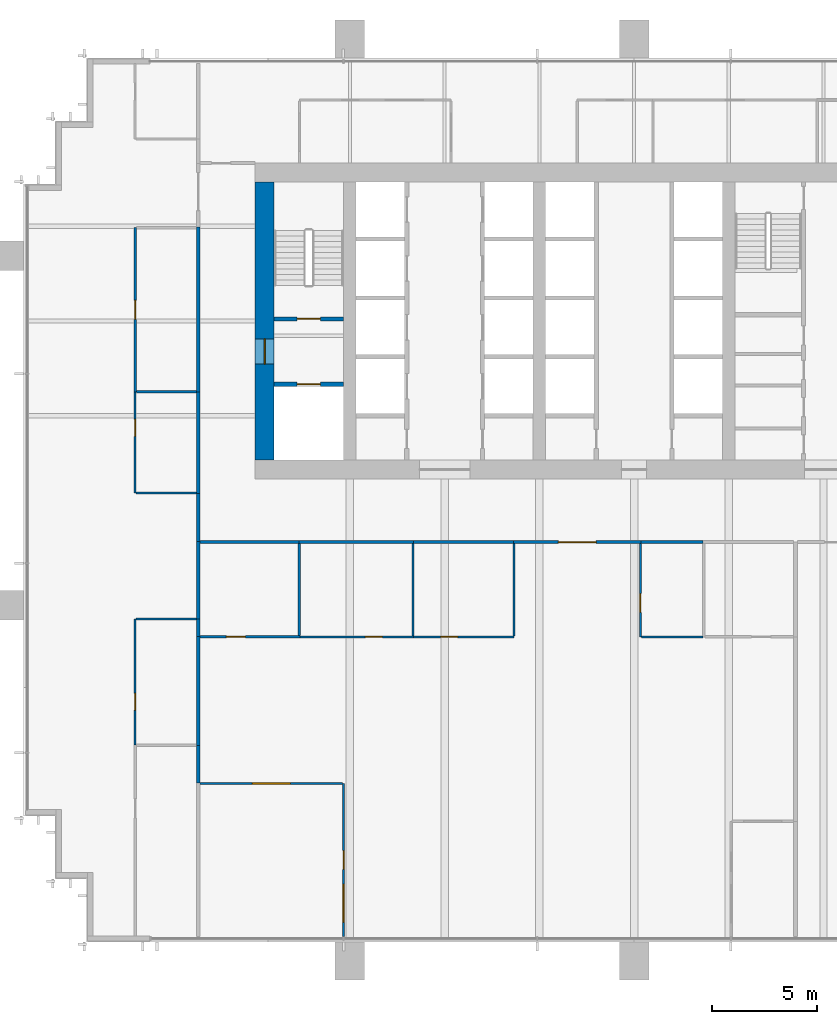
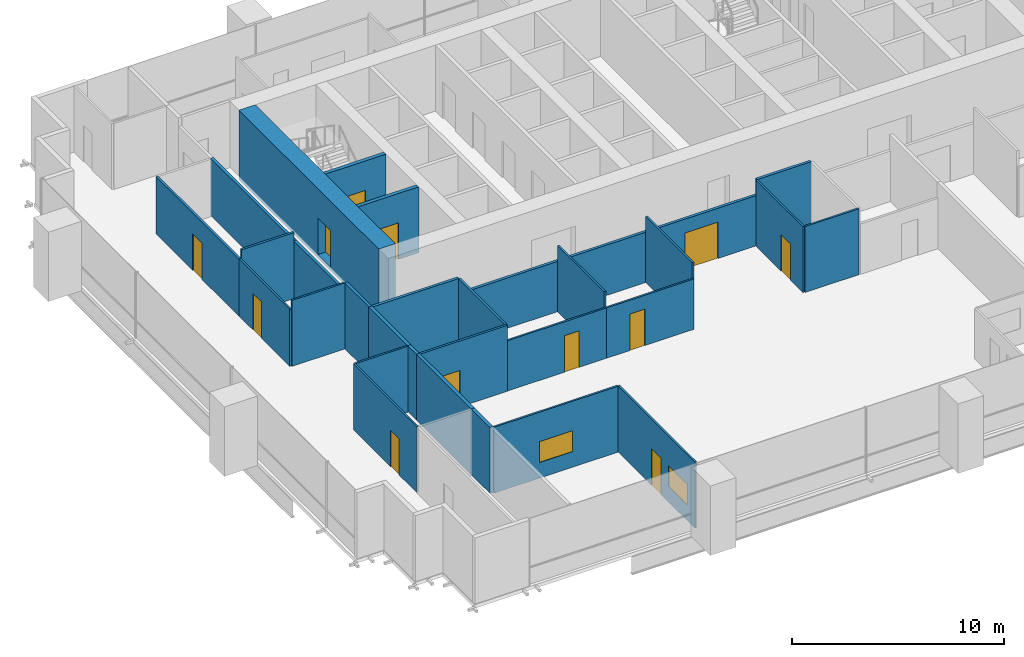
# One storey, part 10 of 16: 31 walls, 12 doors, 2 windows, 14 openings.
"""IFC4 building model written with IfcOpenShell, lengths in metres."""

from ifc_helpers import new_model, si_unit, direction, frame, frame_2d, origin, place, context, subcontext, project, spatial, rectangle, extrude, material, layer, layer_set, type_object, element, fill, save


model = new_model("IFC4")

# Units and contexts
model_context = context("Model", 3, precision=1e-05, world=origin(), true_north=direction((0.0, 1.0)))
body_context = subcontext(model_context, "Body", "Model", "MODEL_VIEW")
ifc_project = project(units=[si_unit("LENGTHUNIT", "METRE"), si_unit("AREAUNIT", "SQUARE_METRE"), si_unit("VOLUMEUNIT", "CUBIC_METRE"), si_unit("PLANEANGLEUNIT", "RADIAN"), si_unit("MASSUNIT", "GRAM", prefix="KILO")], contexts=[model_context])

# Site, building, storey
site_placement = place(None, origin())
site = spatial("IfcSite", under=ifc_project, at=site_placement, CompositionType="ELEMENT")
building_placement = place(site_placement, origin())
building = spatial("IfcBuilding", under=site, at=building_placement, Name="Rattan Terrace Tower", CompositionType="ELEMENT")
storey_placement = place(building_placement, frame((0.0, 0.0, 130.10009765625)))
storey = spatial("IfcBuildingStorey", under=building, at=storey_placement, Name="L29", CompositionType="ELEMENT", Elevation=130.10009765625)

# Wall, opening, door
ifc_material_1 = material(Name="Gypsum board partition")
ifc_layer_1 = layer(ifc_material_1, 0.199951171875)
ifc_layer_set_1 = layer_set([ifc_layer_1], Name="Core partition 200")
wall_type_1 = type_object("IfcWallType", Name="Core partition 200", PredefinedType="PARTITIONING", material=ifc_layer_set_1)
wall_1_placement = place(storey_placement, frame((-17.10009765625, -3.0, 0.0), z_axis=(0.0, 0.0, 1.0), x_axis=(1.0, 0.0, 0.0)))
wall_1 = element("IfcWall", 1, at=wall_1_placement, inside=storey, type_object=wall_type_1, Name="Fire-fighting lobby wall", PredefinedType="PARTITIONING", context=body_context, shape_type="SweptSolid", body=[
    extrude(rectangle(XDim=3.300048828125, YDim=0.199951171875, at=frame_2d((1.64990234375, 0.0))), origin(), (0.0, 0.0, 1.0), 3.7998046875),
])
opening_1_placement = place(wall_1_placement, frame((1.10009765625, 0.0, 0.0)))
opening_1 = element("IfcOpeningElement", 2, at=opening_1_placement, cuts=wall_1, Name="Opening L29-LD-FF1", PredefinedType="OPENING", context=body_context, shape_type="SweptSolid", body=[
    extrude(rectangle(XDim=1.10009765625, YDim=2.10009765625, at=frame_2d((0.550048828125, 1.050048828125))), frame((0.0, 0.110595703125, 0.0), z_axis=(0.0, -1.0, 0.0), x_axis=(1.0, 0.0, 0.0)), (0.0, 0.0, 1.0), 0.220947265625),
])
ifc_material_2 = material(Name="Brushed stainless landing door panel")
door_type_1 = type_object("IfcDoorType", Name="Core lift landing door 1100", OperationType="DOUBLE_DOOR_SLIDING", PredefinedType="DOOR", material=ifc_material_2)
door_1_placement = place(opening_1_placement, origin())
door_1 = element("IfcDoor", 3, at=door_1_placement, inside=storey, type_object=door_type_1, Name="Door L29-LD-FF1", OperationType="DOUBLE_DOOR_SLIDING", OverallHeight=2.10009765625, OverallWidth=1.10009765625, PredefinedType="DOOR", context=body_context, shape_type="SweptSolid", body=[
    extrude(rectangle(XDim=1.10009765625, YDim=2.10009765625, at=frame_2d((0.550048828125, 1.050048828125))), frame((0.0, 0.02490234375, 0.0), z_axis=(0.0, -1.0, 0.0), x_axis=(1.0, 0.0, 0.0)), (0.0, 0.0, 1.0), 0.050048828125),
])
fill(opening_1, door_1)

wall_2_placement = place(storey_placement, frame((-17.10009765625, 0.10009765625, 0.0), z_axis=(0.0, 0.0, 1.0), x_axis=(1.0, 0.0, 0.0)))
wall_2 = element("IfcWall", 4, at=wall_2_placement, inside=storey, type_object=wall_type_1, Name="Stair enclosure wall", PredefinedType="PARTITIONING", context=body_context, shape_type="SweptSolid", body=[
    extrude(rectangle(XDim=3.300048828125, YDim=0.199951171875, at=frame_2d((1.64990234375, 0.0))), origin(), (0.0, 0.0, 1.0), 3.7998046875),
])
opening_2_placement = place(wall_2_placement, frame((1.10009765625, 0.0, 0.0)))
opening_2 = element("IfcOpeningElement", 5, at=opening_2_placement, cuts=wall_2, Name="Opening L29-D002", PredefinedType="OPENING", context=body_context, shape_type="SweptSolid", body=[
    extrude(rectangle(XDim=1.10009765625, YDim=2.10009765625, at=frame_2d((0.550048828125, 1.050048828125))), frame((0.0, 0.110595703125, 0.0), z_axis=(0.0, -1.0, 0.0), x_axis=(1.0, 0.0, 0.0)), (0.0, 0.0, 1.0), 0.220947265625),
])
ifc_material_3 = material(Name="Hollow-metal fire door leaf")
door_type_2 = type_object("IfcDoorType", Name="Core stair door 1100", OperationType="NOTDEFINED", PredefinedType="DOOR", material=ifc_material_3)
door_2_placement = place(opening_2_placement, origin())
door_2 = element("IfcDoor", 6, at=door_2_placement, inside=storey, type_object=door_type_2, Name="Door L29-D002", OperationType="SINGLE_SWING_LEFT", OverallHeight=2.10009765625, OverallWidth=1.10009765625, PredefinedType="DOOR", context=body_context, shape_type="SweptSolid", body=[
    extrude(rectangle(XDim=1.10009765625, YDim=2.10009765625, at=frame_2d((0.550048828125, 1.050048828125))), frame((0.0, 0.02490234375, 0.0), z_axis=(0.0, -1.0, 0.0), x_axis=(1.0, 0.0, 0.0)), (0.0, 0.0, 1.0), 0.050048828125),
])
fill(opening_2, door_2)

ifc_material_4 = material(Name="Concrete C60/75", Category="concrete")
ifc_layer_2 = layer(ifc_material_4, 0.89990234375)
ifc_layer_set_2 = layer_set([ifc_layer_2], Name="Core ring wall 900 C60/75")
wall_type_2 = type_object("IfcWallType", Name="Core ring wall 900 C60/75", PredefinedType="SHEAR", material=ifc_layer_set_2)
wall_3_placement = place(storey_placement, frame((-17.550048828125, -6.60009765625, -0.2001953125), z_axis=(0.0, 0.0, 1.0), x_axis=(0.0, 1.0, 0.0)))
wall_3 = element("IfcWall", 7, at=wall_3_placement, inside=storey, type_object=wall_type_2, Name="Rear core wall west", PredefinedType="SHEAR", context=body_context, shape_type="SweptSolid", body=[
    extrude(rectangle(XDim=13.2001953125, YDim=0.89990234375, at=frame_2d((6.60009765625, 0.0))), origin(), (0.0, 0.0, 1.0), 4.0),
])
opening_3_placement = place(wall_3_placement, frame((4.550048828125, 0.0, 0.199951171875)))
opening_3 = element("IfcOpeningElement", 8, at=opening_3_placement, cuts=wall_3, Name="Opening L29-D001", PredefinedType="OPENING", context=body_context, shape_type="SweptSolid", body=[
    extrude(rectangle(XDim=1.199951171875, YDim=2.10009765625, at=frame_2d((0.60009765625, 1.050048828125))), frame((0.0, 0.46044921875, 0.0), z_axis=(0.0, -1.0, 0.0), x_axis=(1.0, 0.0, 0.0)), (0.0, 0.0, 1.0), 0.9208984375),
])
ifc_material_5 = material(Name="Hollow-metal fire door leaf")
door_type_3 = type_object("IfcDoorType", Name="Core fire-fighting lobby door 1200", OperationType="NOTDEFINED", PredefinedType="DOOR", material=ifc_material_5)
door_3_placement = place(opening_3_placement, origin())
door_3 = element("IfcDoor", 9, at=door_3_placement, inside=storey, type_object=door_type_3, Name="Door L29-D001", OperationType="SINGLE_SWING_RIGHT", OverallHeight=2.10009765625, OverallWidth=1.199951171875, PredefinedType="DOOR", context=body_context, shape_type="SweptSolid", body=[
    extrude(rectangle(XDim=1.199951171875, YDim=2.10009765625, at=frame_2d((0.60009765625, 1.050048828125))), frame((0.0, 0.02490234375, 0.0), z_axis=(0.0, -1.0, 0.0), x_axis=(1.0, 0.0, 0.0)), (0.0, 0.0, 1.0), 0.050048828125),
])
fill(opening_3, door_3)

# Walls
ifc_material_6 = material(Name="Double steel stud acoustic partition, gypsum board, mineral wool, fire rated", Category="steel")
ifc_layer_3 = layer(ifc_material_6, 0.179931640625)
ifc_layer_set_3 = layer_set([ifc_layer_3], Name="Floors Acoustic Party Wall 180")
wall_type_3 = type_object("IfcWallType", Name="Floors Acoustic Party Wall 180", PredefinedType="PARTITIONING", material=ifc_layer_set_3)
wall_4_placement = place(storey_placement, frame((-20.699951171875, -10.47998046875, 0.0), z_axis=(0.0, 0.0, 1.0), x_axis=(0.0, -1.0, 0.0)))
element("IfcWall", 10, at=wall_4_placement, inside=storey, type_object=wall_type_3, Name="pt-L29-029", PredefinedType="PARTITIONING", context=body_context, shape_type="SweptSolid", body=[
    extrude(rectangle(XDim=3.679931640625, YDim=0.179931640625, at=frame_2d((1.83984375, 0.0))), origin(), (0.0, 0.0, 1.0), 3.7998046875),
])
wall_5_placement = place(storey_placement, frame((-20.699951171875, -20.159912109375, 0.0), z_axis=(0.0, 0.0, 1.0), x_axis=(0.0, -1.0, 0.0)))
element("IfcWall", 11, at=wall_5_placement, inside=storey, type_object=wall_type_3, Name="pt-L29-032", PredefinedType="PARTITIONING", context=body_context, shape_type="SweptSolid", body=[
    extrude(rectangle(XDim=1.780029296875, YDim=0.179931640625, at=frame_2d((0.89013671875, 0.0))), origin(), (0.0, 0.0, 1.0), 3.7998046875),
])
wall_6_placement = place(storey_placement, frame((-20.699951171875, -14.97998046875, 0.0), z_axis=(0.0, 0.0, 1.0), x_axis=(0.0, -1.0, 0.0)))
element("IfcWall", 12, at=wall_6_placement, inside=storey, type_object=wall_type_3, Name="pt-L29-034", PredefinedType="PARTITIONING", context=body_context, shape_type="SweptSolid", body=[
    extrude(rectangle(XDim=5.179931640625, YDim=0.179931640625, at=frame_2d((2.58984375, 0.0))), origin(), (0.0, 0.0, 1.0), 3.7998046875),
])
wall_7_placement = place(storey_placement, frame((-20.699951171875, -14.159912109375, 0.0), z_axis=(0.0, 0.0, 1.0), x_axis=(0.0, -1.0, 0.0)))
element("IfcWall", 13, at=wall_7_placement, inside=storey, type_object=wall_type_3, Name="pt-L29-035", PredefinedType="PARTITIONING", context=body_context, shape_type="SweptSolid", body=[
    extrude(rectangle(XDim=0.820068359375, YDim=0.179931640625, at=frame_2d((0.41015625, 0.0))), origin(), (0.0, 0.0, 1.0), 3.7998046875),
])

# Wall, opening, door
ifc_material_7 = material(Name="Gypsum board partition on steel studs", Category="steel")
ifc_layer_4 = layer(ifc_material_7, 0.10009765625)
ifc_layer_set_4 = layer_set([ifc_layer_4], Name="Floors Partition 100")
wall_type_4 = type_object("IfcWallType", Name="Floors Partition 100", PredefinedType="PARTITIONING", material=ifc_layer_set_4)
wall_8_placement = place(storey_placement, frame((-23.699951171875, -14.159912109375, 0.0), z_axis=(0.0, 0.0, 1.0), x_axis=(0.0, -1.0, 0.0)))
wall_8 = element("IfcWall", 14, at=wall_8_placement, inside=storey, type_object=wall_type_4, Name="pt-L29-021", PredefinedType="PARTITIONING", context=body_context, shape_type="SweptSolid", body=[
    extrude(rectangle(XDim=5.97998046875, YDim=0.10009765625, at=frame_2d((2.989990234375, 0.0))), origin(), (0.0, 0.0, 1.0), 3.7998046875),
])
opening_4_placement = place(wall_8_placement, frame((3.52587890625, 0.0, 0.0)))
opening_4 = element("IfcOpeningElement", 15, at=opening_4_placement, cuts=wall_8, Name="Opening L29-D102", PredefinedType="OPENING", context=body_context, shape_type="SweptSolid", body=[
    extrude(rectangle(XDim=0.800048828125, YDim=2.10009765625, at=frame_2d((0.39990234375, 1.050048828125))), frame((0.0, 0.060546875, 0.0), z_axis=(0.0, -1.0, 0.0), x_axis=(1.0, 0.0, 0.0)), (0.0, 0.0, 1.0), 0.12109375),
])
ifc_material_8 = material(Name="Solid core timber door, painted", Category="wood")
door_type_4 = type_object("IfcDoorType", Name="Floors Store Door 800x2100", OperationType="NOTDEFINED", PredefinedType="DOOR", material=ifc_material_8)
door_4_placement = place(opening_4_placement, origin())
door_4 = element("IfcDoor", 16, at=door_4_placement, inside=storey, type_object=door_type_4, Name="d-L29-102", OperationType="SINGLE_SWING_RIGHT", OverallHeight=2.10009765625, OverallWidth=0.800048828125, PredefinedType="DOOR", context=body_context, shape_type="SweptSolid", body=[
    extrude(rectangle(XDim=0.800048828125, YDim=2.10009765625, at=frame_2d((0.39990234375, 1.050048828125))), frame((0.0, 0.02490234375, 0.0), z_axis=(0.0, -1.0, 0.0), x_axis=(1.0, 0.0, 0.0)), (0.0, 0.0, 1.0), 0.050048828125),
])
fill(opening_4, door_4)

# Wall
wall_9_placement = place(storey_placement, frame((-20.7900390625, -14.159912109375, 0.0), z_axis=(0.0, 0.0, 1.0), x_axis=(-1.0, 0.0, 0.0)))
element("IfcWall", 17, at=wall_9_placement, inside=storey, type_object=wall_type_4, Name="pt-L29-022", PredefinedType="PARTITIONING", context=body_context, shape_type="SweptSolid", body=[
    extrude(rectangle(XDim=2.85986328125, YDim=0.10009765625, at=frame_2d((1.429931640625, 0.0))), origin(), (0.0, 0.0, 1.0), 3.7998046875),
])

# Wall, opening, door
wall_10_placement = place(storey_placement, frame((-23.699951171875, -3.3798828125, 0.0), z_axis=(0.0, 0.0, 1.0), x_axis=(0.0, -1.0, 0.0)))
wall_10 = element("IfcWall", 18, at=wall_10_placement, inside=storey, type_object=wall_type_4, Name="pt-L29-023", PredefinedType="PARTITIONING", context=body_context, shape_type="SweptSolid", body=[
    extrude(rectangle(XDim=4.780029296875, YDim=0.10009765625, at=frame_2d((2.39013671875, 0.0))), origin(), (0.0, 0.0, 1.0), 3.2998046875),
])
opening_5_placement = place(wall_10_placement, frame((1.2939453125, 0.0, 0.0)))
opening_5 = element("IfcOpeningElement", 19, at=opening_5_placement, cuts=wall_10, Name="Opening L29-D103", PredefinedType="OPENING", context=body_context, shape_type="SweptSolid", body=[
    extrude(rectangle(XDim=0.800048828125, YDim=2.10009765625, at=frame_2d((0.39990234375, 1.050048828125))), frame((0.0, 0.060546875, 0.0), z_axis=(0.0, -1.0, 0.0), x_axis=(1.0, 0.0, 0.0)), (0.0, 0.0, 1.0), 0.12109375),
])
door_5_placement = place(opening_5_placement, origin())
door_5 = element("IfcDoor", 20, at=door_5_placement, inside=storey, type_object=door_type_4, Name="d-L29-103", OperationType="SINGLE_SWING_LEFT", OverallHeight=2.10009765625, OverallWidth=0.800048828125, PredefinedType="DOOR", context=body_context, shape_type="SweptSolid", body=[
    extrude(rectangle(XDim=0.800048828125, YDim=2.10009765625, at=frame_2d((0.39990234375, 1.050048828125))), frame((0.0, 0.02490234375, 0.0), z_axis=(0.0, -1.0, 0.0), x_axis=(1.0, 0.0, 0.0)), (0.0, 0.0, 1.0), 0.050048828125),
])
fill(opening_5, door_5)

# Wall
wall_11_placement = place(storey_placement, frame((-23.64990234375, -8.159912109375, 0.0), z_axis=(0.0, 0.0, 1.0), x_axis=(1.0, 0.0, 0.0)))
element("IfcWall", 21, at=wall_11_placement, inside=storey, type_object=wall_type_4, Name="pt-L29-024", PredefinedType="PARTITIONING", context=body_context, shape_type="SweptSolid", body=[
    extrude(rectangle(XDim=2.875, YDim=0.10009765625, at=frame_2d((1.4375, 0.0))), origin(), (0.0, 0.0, 1.0), 3.7998046875),
])

# Wall, opening, window
wall_12_placement = place(storey_placement, frame((-13.85009765625, -21.9599609375, 0.0), z_axis=(0.0, 0.0, 1.0), x_axis=(-1.0, 0.0, 0.0)))
wall_12 = element("IfcWall", 22, at=wall_12_placement, inside=storey, type_object=wall_type_4, Name="pt-L29-040", PredefinedType="PARTITIONING", context=body_context, shape_type="SweptSolid", body=[
    extrude(rectangle(XDim=6.760009765625, YDim=0.10009765625, at=frame_2d((3.3798828125, 0.0))), origin(), (0.0, 0.0, 1.0), 3.7998046875),
])
opening_6_placement = place(wall_12_placement, frame((2.47998046875, 0.0, 0.89990234375)))
opening_6 = element("IfcOpeningElement", 23, at=opening_6_placement, cuts=wall_12, Name="Opening L29-W102", PredefinedType="OPENING", context=body_context, shape_type="SweptSolid", body=[
    extrude(rectangle(XDim=1.800048828125, YDim=1.199951171875, at=frame_2d((0.89990234375, 0.60009765625))), frame((0.0, 0.060546875, 0.0), z_axis=(0.0, -1.0, 0.0), x_axis=(1.0, 0.0, 0.0)), (0.0, 0.0, 1.0), 0.12109375),
])
ifc_material_9 = material(Name="Glass, clear, fixed in aluminium frame", Category="aluminium")
window_type = type_object("IfcWindowType", Name="Interior Vision Window 1800x1200", PartitioningType="SINGLE_PANEL", PredefinedType="WINDOW", material=ifc_material_9)
window_1_placement = place(opening_6_placement, origin())
window_1 = element("IfcWindow", 24, at=window_1_placement, inside=storey, type_object=window_type, Name="w-L29-102", OverallHeight=1.199951171875, OverallWidth=1.800048828125, PartitioningType="SINGLE_PANEL", PredefinedType="WINDOW", context=body_context, shape_type="SweptSolid", body=[
    extrude(rectangle(XDim=1.800048828125, YDim=1.199951171875, at=frame_2d((0.89990234375, 0.60009765625))), frame((0.0, 0.030029296875, 0.0), z_axis=(0.0, -1.0, 0.0), x_axis=(1.0, 0.0, 0.0)), (0.0, 0.0, 1.0), 0.06005859375),
])
fill(opening_6, window_1)

# Wall, openings, door, window
wall_13_placement = place(storey_placement, frame((-13.800048828125, -29.239990234375, 0.0), z_axis=(0.0, 0.0, 1.0), x_axis=(0.0, 1.0, 0.0)))
wall_13 = element("IfcWall", 25, at=wall_13_placement, inside=storey, type_object=wall_type_4, Name="pt-L29-041", PredefinedType="PARTITIONING", context=body_context, shape_type="SweptSolid", body=[
    extrude(rectangle(XDim=7.280029296875, YDim=0.10009765625, at=frame_2d((3.64013671875, 0.0))), origin(), (0.0, 0.0, 1.0), 3.7998046875),
])
opening_7_placement = place(wall_13_placement, frame((3.18994140625, 0.0, 0.0)))
opening_7 = element("IfcOpeningElement", 26, at=opening_7_placement, cuts=wall_13, Name="Opening L29-D108", PredefinedType="OPENING", context=body_context, shape_type="SweptSolid", body=[
    extrude(rectangle(XDim=0.89990234375, YDim=2.10009765625, at=frame_2d((0.449951171875, 1.050048828125))), frame((0.0, 0.060546875, 0.0), z_axis=(0.0, -1.0, 0.0), x_axis=(1.0, 0.0, 0.0)), (0.0, 0.0, 1.0), 0.12109375),
])
opening_8_placement = place(wall_13_placement, frame((0.695068359375, 0.0, 0.89990234375)))
opening_8 = element("IfcOpeningElement", 27, at=opening_8_placement, cuts=wall_13, Name="Opening L29-W103", PredefinedType="OPENING", context=body_context, shape_type="SweptSolid", body=[
    extrude(rectangle(XDim=1.800048828125, YDim=1.199951171875, at=frame_2d((0.89990234375, 0.60009765625))), frame((0.0, 0.060546875, 0.0), z_axis=(0.0, -1.0, 0.0), x_axis=(1.0, 0.0, 0.0)), (0.0, 0.0, 1.0), 0.12109375),
])
ifc_material_10 = material(Name="Solid core timber door, painted", Category="wood")
door_type_5 = type_object("IfcDoorType", Name="Floors Door 900x2100", OperationType="NOTDEFINED", PredefinedType="DOOR", material=ifc_material_10)
door_6_placement = place(opening_7_placement, origin())
door_6 = element("IfcDoor", 28, at=door_6_placement, inside=storey, type_object=door_type_5, Name="d-L29-108", OperationType="SINGLE_SWING_LEFT", OverallHeight=2.10009765625, OverallWidth=0.89990234375, PredefinedType="DOOR", context=body_context, shape_type="SweptSolid", body=[
    extrude(rectangle(XDim=0.89990234375, YDim=2.10009765625, at=frame_2d((0.449951171875, 1.050048828125))), frame((0.0, 0.02490234375, 0.0), z_axis=(0.0, -1.0, 0.0), x_axis=(1.0, 0.0, 0.0)), (0.0, 0.0, 1.0), 0.050048828125),
])
fill(opening_7, door_6)
window_2_placement = place(opening_8_placement, origin())
window_2 = element("IfcWindow", 29, at=window_2_placement, inside=storey, type_object=window_type, Name="w-L29-103", OverallHeight=1.199951171875, OverallWidth=1.800048828125, PartitioningType="SINGLE_PANEL", PredefinedType="WINDOW", context=body_context, shape_type="SweptSolid", body=[
    extrude(rectangle(XDim=1.800048828125, YDim=1.199951171875, at=frame_2d((0.89990234375, 0.60009765625))), frame((0.0, 0.030029296875, 0.0), z_axis=(0.0, -1.0, 0.0), x_axis=(1.0, 0.0, 0.0)), (0.0, 0.0, 1.0), 0.06005859375),
])
fill(opening_8, window_2)

# Wall, opening, door
wall_14_placement = place(storey_placement, frame((-15.8798828125, -15.0, 0.0), z_axis=(0.0, 0.0, 1.0), x_axis=(1.0, 0.0, 0.0)))
wall_14 = element("IfcWall", 30, at=wall_14_placement, inside=storey, type_object=wall_type_4, Name="pt-L29-043", PredefinedType="PARTITIONING", context=body_context, shape_type="SweptSolid", body=[
    extrude(rectangle(XDim=5.39990234375, YDim=0.10009765625, at=frame_2d((2.699951171875, 0.0))), origin(), (0.0, 0.0, 1.0), 2.89990234375),
])
opening_9_placement = place(wall_14_placement, frame((3.1201171875, 0.0, 0.0)))
opening_9 = element("IfcOpeningElement", 31, at=opening_9_placement, cuts=wall_14, Name="Opening L29-D110", PredefinedType="OPENING", context=body_context, shape_type="SweptSolid", body=[
    extrude(rectangle(XDim=0.800048828125, YDim=2.10009765625, at=frame_2d((0.39990234375, 1.050048828125))), frame((0.0, 0.060546875, 0.0), z_axis=(0.0, -1.0, 0.0), x_axis=(1.0, 0.0, 0.0)), (0.0, 0.0, 1.0), 0.12109375),
])
door_7_placement = place(opening_9_placement, origin())
door_7 = element("IfcDoor", 32, at=door_7_placement, inside=storey, type_object=door_type_4, Name="d-L29-110", OperationType="SINGLE_SWING_RIGHT", OverallHeight=2.10009765625, OverallWidth=0.800048828125, PredefinedType="DOOR", context=body_context, shape_type="SweptSolid", body=[
    extrude(rectangle(XDim=0.800048828125, YDim=2.10009765625, at=frame_2d((0.39990234375, 1.050048828125))), frame((0.0, 0.02490234375, 0.0), z_axis=(0.0, -1.0, 0.0), x_axis=(1.0, 0.0, 0.0)), (0.0, 0.0, 1.0), 0.050048828125),
])
fill(opening_9, door_7)

wall_15_placement = place(storey_placement, frame((-10.47998046875, -15.0, 0.0), z_axis=(0.0, 0.0, 1.0), x_axis=(1.0, 0.0, 0.0)))
wall_15 = element("IfcWall", 33, at=wall_15_placement, inside=storey, type_object=wall_type_4, Name="pt-L29-044", PredefinedType="PARTITIONING", context=body_context, shape_type="SweptSolid", body=[
    extrude(rectangle(XDim=4.780029296875, YDim=0.10009765625, at=frame_2d((2.39013671875, 0.0))), origin(), (0.0, 0.0, 1.0), 2.89990234375),
])
opening_10_placement = place(wall_15_placement, frame((1.2939453125, 0.0, 0.0)))
opening_10 = element("IfcOpeningElement", 34, at=opening_10_placement, cuts=wall_15, Name="Opening L29-D111", PredefinedType="OPENING", context=body_context, shape_type="SweptSolid", body=[
    extrude(rectangle(XDim=0.800048828125, YDim=2.10009765625, at=frame_2d((0.39990234375, 1.050048828125))), frame((0.0, 0.060546875, 0.0), z_axis=(0.0, -1.0, 0.0), x_axis=(1.0, 0.0, 0.0)), (0.0, 0.0, 1.0), 0.12109375),
])
door_8_placement = place(opening_10_placement, origin())
door_8 = element("IfcDoor", 35, at=door_8_placement, inside=storey, type_object=door_type_4, Name="d-L29-111", OperationType="SINGLE_SWING_LEFT", OverallHeight=2.10009765625, OverallWidth=0.800048828125, PredefinedType="DOOR", context=body_context, shape_type="SweptSolid", body=[
    extrude(rectangle(XDim=0.800048828125, YDim=2.10009765625, at=frame_2d((0.39990234375, 1.050048828125))), frame((0.0, 0.02490234375, 0.0), z_axis=(0.0, -1.0, 0.0), x_axis=(1.0, 0.0, 0.0)), (0.0, 0.0, 1.0), 0.050048828125),
])
fill(opening_10, door_8)

# Wall
wall_16_placement = place(storey_placement, frame((-5.699951171875, -14.949951171875, 0.0), z_axis=(0.0, 0.0, 1.0), x_axis=(0.0, 1.0, 0.0)))
element("IfcWall", 36, at=wall_16_placement, inside=storey, type_object=wall_type_4, Name="pt-L29-045", PredefinedType="PARTITIONING", context=body_context, shape_type="SweptSolid", body=[
    extrude(rectangle(XDim=4.375, YDim=0.10009765625, at=frame_2d((2.1875, 0.0))), origin(), (0.0, 0.0, 1.0), 3.7998046875),
])

# Wall, opening, door
wall_17_placement = place(storey_placement, frame((0.300048828125, -10.574951171875, 0.0), z_axis=(0.0, 0.0, 1.0), x_axis=(0.0, -1.0, 0.0)))
wall_17 = element("IfcWall", 37, at=wall_17_placement, inside=storey, type_object=wall_type_4, Name="pt-L29-046", PredefinedType="PARTITIONING", context=body_context, shape_type="SweptSolid", body=[
    extrude(rectangle(XDim=4.425048828125, YDim=0.10009765625, at=frame_2d((2.21240234375, 0.0))), origin(), (0.0, 0.0, 1.0), 3.7998046875),
])
opening_11_placement = place(wall_17_placement, frame((2.367919921875, 0.0, 0.0)))
opening_11 = element("IfcOpeningElement", 38, at=opening_11_placement, cuts=wall_17, Name="Opening L29-D112", PredefinedType="OPENING", context=body_context, shape_type="SweptSolid", body=[
    extrude(rectangle(XDim=0.89990234375, YDim=2.10009765625, at=frame_2d((0.449951171875, 1.050048828125))), frame((0.0, 0.060546875, 0.0), z_axis=(0.0, -1.0, 0.0), x_axis=(1.0, 0.0, 0.0)), (0.0, 0.0, 1.0), 0.12109375),
])
door_9_placement = place(opening_11_placement, origin())
door_9 = element("IfcDoor", 39, at=door_9_placement, inside=storey, type_object=door_type_5, Name="d-L29-112", OperationType="SINGLE_SWING_RIGHT", OverallHeight=2.10009765625, OverallWidth=0.89990234375, PredefinedType="DOOR", context=body_context, shape_type="SweptSolid", body=[
    extrude(rectangle(XDim=0.89990234375, YDim=2.10009765625, at=frame_2d((0.449951171875, 1.050048828125))), frame((0.0, 0.02490234375, 0.0), z_axis=(0.0, -1.0, 0.0), x_axis=(1.0, 0.0, 0.0)), (0.0, 0.0, 1.0), 0.050048828125),
])
fill(opening_11, door_9)

# Walls
wall_18_placement = place(storey_placement, frame((0.35009765625, -15.0, 0.0), z_axis=(0.0, 0.0, 1.0), x_axis=(1.0, 0.0, 0.0)))
element("IfcWall", 40, at=wall_18_placement, inside=storey, type_object=wall_type_4, Name="pt-L29-047", PredefinedType="PARTITIONING", context=body_context, shape_type="SweptSolid", body=[
    extrude(rectangle(XDim=2.929931640625, YDim=0.10009765625, at=frame_2d((1.46484375, 0.0))), origin(), (0.0, 0.0, 1.0), 3.7998046875),
])
wall_19_placement = place(storey_placement, frame((-10.5, -10.574951171875, 0.0), z_axis=(0.0, 0.0, 1.0), x_axis=(0.0, -1.0, 0.0)))
element("IfcWall", 41, at=wall_19_placement, inside=storey, type_object=wall_type_4, Name="pt-L29-052", PredefinedType="PARTITIONING", context=body_context, shape_type="SweptSolid", body=[
    extrude(rectangle(XDim=4.375, YDim=0.10009765625, at=frame_2d((2.1875, 0.0))), origin(), (0.0, 0.0, 1.0), 3.7998046875),
])
ifc_material_11 = material(Name="Gypsum board partition on steel studs, fire rated", Category="steel")
ifc_layer_5 = layer(ifc_material_11, 0.14990234375)
ifc_layer_set_5 = layer_set([ifc_layer_5], Name="Floors Tenancy Wall 150")
wall_type_5 = type_object("IfcWallType", Name="Floors Tenancy Wall 150", PredefinedType="PARTITIONING", material=ifc_layer_set_5)
wall_20_placement = place(storey_placement, frame((-20.699951171875, -10.47998046875, 0.0), z_axis=(0.0, 0.0, 1.0), x_axis=(0.0, 1.0, 0.0)))
element("IfcWall", 42, at=wall_20_placement, inside=storey, type_object=wall_type_5, Name="pt-L29-001", PredefinedType="PARTITIONING", context=body_context, shape_type="SweptSolid", body=[
    extrude(rectangle(XDim=2.300048828125, YDim=0.14990234375, at=frame_2d((1.14990234375, 0.0))), origin(), (0.0, 0.0, 1.0), 3.7998046875),
])
wall_21_placement = place(storey_placement, frame((-20.699951171875, -8.179931640625, 0.0), z_axis=(0.0, 0.0, 1.0), x_axis=(0.0, 1.0, 0.0)))
element("IfcWall", 43, at=wall_21_placement, inside=storey, type_object=wall_type_5, Name="pt-L29-003", PredefinedType="PARTITIONING", context=body_context, shape_type="SweptSolid", body=[
    extrude(rectangle(XDim=4.800048828125, YDim=0.14990234375, at=frame_2d((2.39990234375, 0.0))), origin(), (0.0, 0.0, 1.0), 3.2998046875),
])
wall_22_placement = place(storey_placement, frame((-20.699951171875, -3.3798828125, 0.0), z_axis=(0.0, 0.0, 1.0), x_axis=(0.0, 1.0, 0.0)))
element("IfcWall", 44, at=wall_22_placement, inside=storey, type_object=wall_type_5, Name="pt-L29-004", PredefinedType="PARTITIONING", context=body_context, shape_type="SweptSolid", body=[
    extrude(rectangle(XDim=7.83984375, YDim=0.14990234375, at=frame_2d((3.919921875, 0.0))), origin(), (0.0, 0.0, 1.0), 3.2998046875),
])

# Wall, opening, door
wall_23_placement = place(storey_placement, frame((0.320068359375, -10.5, 0.0), z_axis=(0.0, 0.0, 1.0), x_axis=(-1.0, 0.0, 0.0)))
wall_23 = element("IfcWall", 45, at=wall_23_placement, inside=storey, type_object=wall_type_5, Name="pt-L29-005", PredefinedType="PARTITIONING", context=body_context, shape_type="SweptSolid", body=[
    extrude(rectangle(XDim=6.0400390625, YDim=0.14990234375, at=frame_2d((3.02001953125, 0.0))), origin(), (0.0, 0.0, 1.0), 2.89990234375),
])
opening_12_placement = place(wall_23_placement, frame((2.1201171875, 0.0, 0.0)))
opening_12 = element("IfcOpeningElement", 46, at=opening_12_placement, cuts=wall_23, Name="Opening L29-D106", PredefinedType="OPENING", context=body_context, shape_type="SweptSolid", body=[
    extrude(rectangle(XDim=1.800048828125, YDim=2.10009765625, at=frame_2d((0.89990234375, 1.050048828125))), frame((0.0, 0.08544921875, 0.0), z_axis=(0.0, -1.0, 0.0), x_axis=(1.0, 0.0, 0.0)), (0.0, 0.0, 1.0), 0.1708984375),
])
ifc_material_12 = material(Name="Steel fire door set", Category="steel")
door_type_6 = type_object("IfcDoorType", Name="Floors Fire Door Pair FD30S 1800x2100", OperationType="NOTDEFINED", PredefinedType="DOOR", material=ifc_material_12)
door_10_placement = place(opening_12_placement, origin())
door_10 = element("IfcDoor", 47, at=door_10_placement, inside=storey, type_object=door_type_6, Name="d-L29-106", OperationType="DOUBLE_DOOR_SINGLE_SWING", OverallHeight=2.10009765625, OverallWidth=1.800048828125, PredefinedType="DOOR", context=body_context, shape_type="SweptSolid", body=[
    extrude(rectangle(XDim=1.800048828125, YDim=2.10009765625, at=frame_2d((0.89990234375, 1.050048828125))), frame((0.0, 0.02490234375, 0.0), z_axis=(0.0, -1.0, 0.0), x_axis=(1.0, 0.0, 0.0)), (0.0, 0.0, 1.0), 0.050048828125),
])
fill(opening_12, door_10)

# Walls
wall_24_placement = place(storey_placement, frame((-15.919921875, -10.5, 0.0), z_axis=(0.0, 0.0, 1.0), x_axis=(-1.0, 0.0, 0.0)))
element("IfcWall", 48, at=wall_24_placement, inside=storey, type_object=wall_type_5, Name="pt-L29-006", PredefinedType="PARTITIONING", context=body_context, shape_type="SweptSolid", body=[
    extrude(rectangle(XDim=4.690185546875, YDim=0.14990234375, at=frame_2d((2.34521484375, 0.0))), origin(), (0.0, 0.0, 1.0), 3.7998046875),
])
wall_25_placement = place(storey_placement, frame((-10.47998046875, -10.5, 0.0), z_axis=(0.0, 0.0, 1.0), x_axis=(-1.0, 0.0, 0.0)))
element("IfcWall", 49, at=wall_25_placement, inside=storey, type_object=wall_type_5, Name="pt-L29-007", PredefinedType="PARTITIONING", context=body_context, shape_type="SweptSolid", body=[
    extrude(rectangle(XDim=5.43994140625, YDim=0.14990234375, at=frame_2d((2.719970703125, 0.0))), origin(), (0.0, 0.0, 1.0), 2.89990234375),
])
wall_26_placement = place(storey_placement, frame((-5.719970703125, -10.5, 0.0), z_axis=(0.0, 0.0, 1.0), x_axis=(-1.0, 0.0, 0.0)))
element("IfcWall", 50, at=wall_26_placement, inside=storey, type_object=wall_type_5, Name="pt-L29-008", PredefinedType="PARTITIONING", context=body_context, shape_type="SweptSolid", body=[
    extrude(rectangle(XDim=4.760009765625, YDim=0.14990234375, at=frame_2d((2.3798828125, 0.0))), origin(), (0.0, 0.0, 1.0), 2.89990234375),
])
wall_27_placement = place(storey_placement, frame((3.280029296875, -10.5, 0.0), z_axis=(0.0, 0.0, 1.0), x_axis=(-1.0, 0.0, 0.0)))
element("IfcWall", 51, at=wall_27_placement, inside=storey, type_object=wall_type_5, Name="pt-L29-009", PredefinedType="PARTITIONING", context=body_context, shape_type="SweptSolid", body=[
    extrude(rectangle(XDim=2.9599609375, YDim=0.14990234375, at=frame_2d((1.47998046875, 0.0))), origin(), (0.0, 0.0, 1.0), 3.7998046875),
])

# Wall, opening, door
ifc_material_13 = material(Name="Moisture resistant gypsum board partition on steel studs with service cavity", Category="steel")
ifc_layer_6 = layer(ifc_material_13, 0.1201171875)
ifc_layer_set_6 = layer_set([ifc_layer_6], Name="Floors Wet Wall 120")
wall_type_6 = type_object("IfcWallType", Name="Floors Wet Wall 120", PredefinedType="PARTITIONING", material=ifc_layer_set_6)
wall_28_placement = place(storey_placement, frame((-23.699951171875, 4.43994140625, 0.0), z_axis=(0.0, 0.0, 1.0), x_axis=(0.0, -1.0, 0.0)))
wall_28 = element("IfcWall", 52, at=wall_28_placement, inside=storey, type_object=wall_type_6, Name="pt-L29-025", PredefinedType="PARTITIONING", context=body_context, shape_type="SweptSolid", body=[
    extrude(rectangle(XDim=7.81982421875, YDim=0.1201171875, at=frame_2d((3.909912109375, 0.0))), origin(), (0.0, 0.0, 1.0), 3.2998046875),
])
opening_13_placement = place(wall_28_placement, frame((3.4599609375, 0.0, 0.0)))
opening_13 = element("IfcOpeningElement", 53, at=opening_13_placement, cuts=wall_28, Name="Opening L29-D104", PredefinedType="OPENING", context=body_context, shape_type="SweptSolid", body=[
    extrude(rectangle(XDim=0.89990234375, YDim=2.10009765625, at=frame_2d((0.449951171875, 1.050048828125))), frame((0.0, 0.070556640625, 0.0), z_axis=(0.0, -1.0, 0.0), x_axis=(1.0, 0.0, 0.0)), (0.0, 0.0, 1.0), 0.14111328125),
])
door_11_placement = place(opening_13_placement, origin())
door_11 = element("IfcDoor", 54, at=door_11_placement, inside=storey, type_object=door_type_5, Name="d-L29-104", OperationType="SINGLE_SWING_LEFT", OverallHeight=2.10009765625, OverallWidth=0.89990234375, PredefinedType="DOOR", context=body_context, shape_type="SweptSolid", body=[
    extrude(rectangle(XDim=0.89990234375, YDim=2.10009765625, at=frame_2d((0.449951171875, 1.050048828125))), frame((0.0, 0.02490234375, 0.0), z_axis=(0.0, -1.0, 0.0), x_axis=(1.0, 0.0, 0.0)), (0.0, 0.0, 1.0), 0.050048828125),
])
fill(opening_13, door_11)

# Wall
wall_29_placement = place(storey_placement, frame((-23.639892578125, -3.360107421875, 0.0), z_axis=(0.0, 0.0, 1.0), x_axis=(1.0, 0.0, 0.0)))
element("IfcWall", 55, at=wall_29_placement, inside=storey, type_object=wall_type_6, Name="pt-L29-036", PredefinedType="PARTITIONING", context=body_context, shape_type="SweptSolid", body=[
    extrude(rectangle(XDim=2.864990234375, YDim=0.1201171875, at=frame_2d((1.4326171875, 0.0))), origin(), (0.0, 0.0, 1.0), 3.7998046875),
])

# Wall, opening, door
wall_30_placement = place(storey_placement, frame((-20.610107421875, -15.0, 0.0), z_axis=(0.0, 0.0, 1.0), x_axis=(1.0, 0.0, 0.0)))
wall_30 = element("IfcWall", 56, at=wall_30_placement, inside=storey, type_object=wall_type_6, Name="pt-L29-042", PredefinedType="PARTITIONING", context=body_context, shape_type="SweptSolid", body=[
    extrude(rectangle(XDim=4.730224609375, YDim=0.1201171875, at=frame_2d((2.365234375, 0.0))), origin(), (0.0, 0.0, 1.0), 3.7998046875),
])
opening_14_placement = place(wall_30_placement, frame((1.2490234375, 0.0, 0.0)))
opening_14 = element("IfcOpeningElement", 57, at=opening_14_placement, cuts=wall_30, Name="Opening L29-D109", PredefinedType="OPENING", context=body_context, shape_type="SweptSolid", body=[
    extrude(rectangle(XDim=0.89990234375, YDim=2.10009765625, at=frame_2d((0.449951171875, 1.050048828125))), frame((0.0, 0.070556640625, 0.0), z_axis=(0.0, -1.0, 0.0), x_axis=(1.0, 0.0, 0.0)), (0.0, 0.0, 1.0), 0.14111328125),
])
door_12_placement = place(opening_14_placement, origin())
door_12 = element("IfcDoor", 58, at=door_12_placement, inside=storey, type_object=door_type_5, Name="d-L29-109", OperationType="SINGLE_SWING_LEFT", OverallHeight=2.10009765625, OverallWidth=0.89990234375, PredefinedType="DOOR", context=body_context, shape_type="SweptSolid", body=[
    extrude(rectangle(XDim=0.89990234375, YDim=2.10009765625, at=frame_2d((0.449951171875, 1.050048828125))), frame((0.0, 0.02490234375, 0.0), z_axis=(0.0, -1.0, 0.0), x_axis=(1.0, 0.0, 0.0)), (0.0, 0.0, 1.0), 0.050048828125),
])
fill(opening_14, door_12)

# Wall
wall_31_placement = place(storey_placement, frame((-15.89990234375, -10.574951171875, 0.0), z_axis=(0.0, 0.0, 1.0), x_axis=(0.0, -1.0, 0.0)))
element("IfcWall", 59, at=wall_31_placement, inside=storey, type_object=wall_type_6, Name="pt-L29-051", PredefinedType="PARTITIONING", context=body_context, shape_type="SweptSolid", body=[
    extrude(rectangle(XDim=4.364990234375, YDim=0.1201171875, at=frame_2d((2.1826171875, 0.0))), origin(), (0.0, 0.0, 1.0), 3.7998046875),
])

save(model, "model.ifc")
